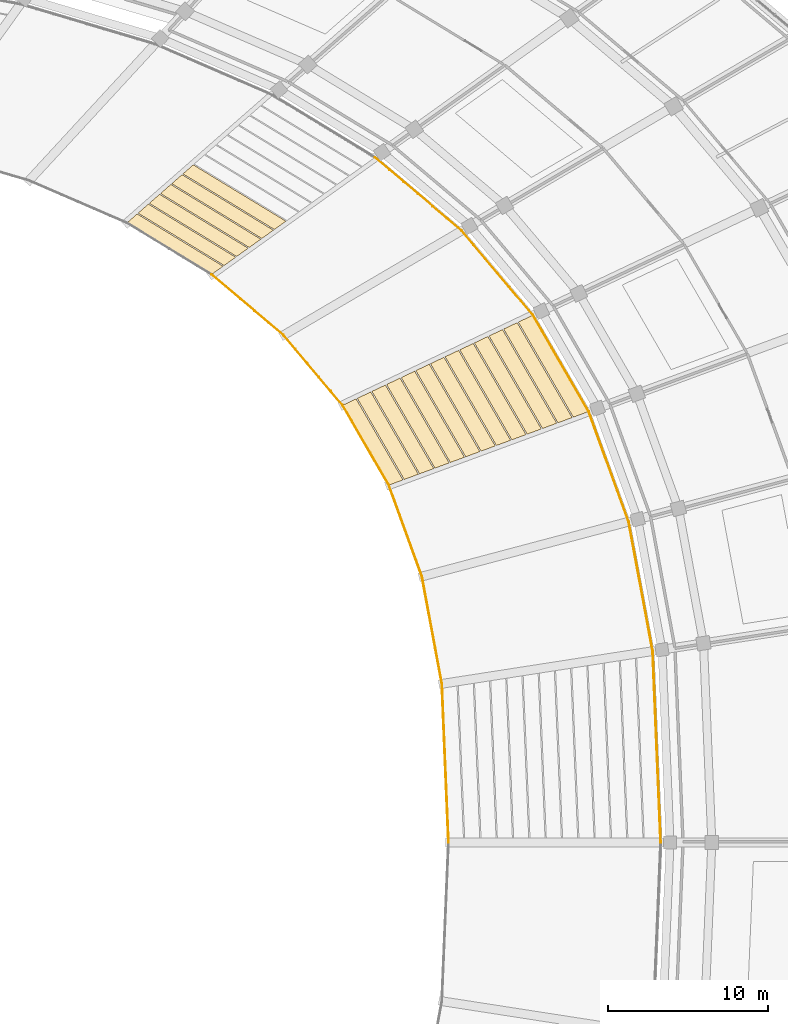
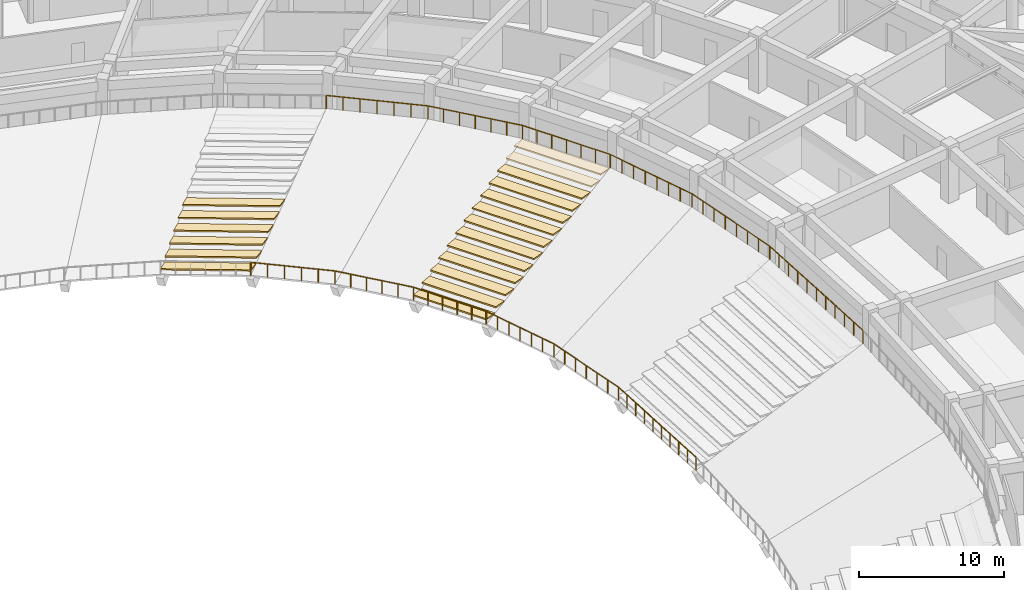
# One storey, part 138 of 152: 19 coverings, 2 railings.
"""IFC4 building model written with IfcOpenShell, lengths in metres."""

from ifc_helpers import new_model, si_unit, direction, frame, origin, origin_2d, place, context, subcontext, project, spatial, polyline, circle, outline, extrude, material, layer, layer_set, type_object, element, save


model = new_model("IFC4")

# Units and contexts
model_context = context("Model", 3, precision=1e-05, world=origin(), true_north=direction((0.0, 1.0)))
body_context = subcontext(model_context, "Body", "Model", "MODEL_VIEW")
ifc_project = project(units=[si_unit("LENGTHUNIT", "METRE"), si_unit("AREAUNIT", "SQUARE_METRE"), si_unit("VOLUMEUNIT", "CUBIC_METRE"), si_unit("PLANEANGLEUNIT", "RADIAN"), si_unit("MASSUNIT", "GRAM", prefix="KILO")], contexts=[model_context])

# Site, building, storey
site_placement = place(None, origin())
site = spatial("IfcSite", under=ifc_project, at=site_placement, CompositionType="ELEMENT")
building_placement = place(site_placement, origin())
building = spatial("IfcBuilding", under=site, at=building_placement, Name="Mphavela Belvedere Stadium", CompositionType="ELEMENT")
storey_placement = place(building_placement, frame((0.0, 0.0, 5.39990234375)))
storey = spatial("IfcBuildingStorey", under=building, at=storey_placement, Name="L01", CompositionType="ELEMENT", Elevation=5.39990234375)

# Coverings
ifc_material_1 = material(Name="Precast seating row terrazzo finish", Category="concrete")
ifc_layer = layer(ifc_material_1, 0.1201171875)
ifc_layer_set = layer_set([ifc_layer], Name="Precast seating row terrazzo finish")
covering_type = type_object("IfcCoveringType", Name="COV-SEAT-ROW-L", PredefinedType="FLOORING", material=ifc_layer_set)
covering_1_placement = place(storey_placement, frame((0.0, 0.0, -3.75830078125)))
element("IfcCovering", 1, at=covering_1_placement, inside=storey, type_object=covering_type, Name="Lower stand seating row bench B04-R01", PredefinedType="FLOORING", context=body_context, shape_type="SweptSolid", body=[
    extrude(outline(polyline([(175.763427734375, 109.385498046875), (172.869140625, 114.391357421875), (173.712890625, 114.790771484375), (176.6494140625, 109.7119140625), (175.763427734375, 109.385498046875)])), origin(), (0.0, 0.0, 1.0), 0.119873046875),
])
covering_2_placement = place(storey_placement, frame((0.0, 0.0, -3.296875)))
element("IfcCovering", 2, at=covering_2_placement, inside=storey, type_object=covering_type, Name="Lower stand seating row bench B04-R02", PredefinedType="FLOORING", context=body_context, shape_type="SweptSolid", body=[
    extrude(outline(polyline([(176.726318359375, 109.740234375), (173.7861328125, 114.825439453125), (174.6298828125, 115.224853515625), (177.6123046875, 110.066650390625), (176.726318359375, 109.740234375)])), origin(), (0.0, 0.0, 1.0), 0.1201171875),
])
covering_3_placement = place(storey_placement, frame((0.0, 0.0, -2.835205078125)))
element("IfcCovering", 3, at=covering_3_placement, inside=storey, type_object=covering_type, Name="Lower stand seating row bench B04-R03", PredefinedType="FLOORING", context=body_context, shape_type="SweptSolid", body=[
    extrude(outline(polyline([(177.689453125, 110.09521484375), (174.703125, 115.259521484375), (175.546875, 115.658935546875), (178.5751953125, 110.42138671875), (177.689453125, 110.09521484375)])), origin(), (0.0, 0.0, 1.0), 0.119873046875),
])
covering_4_placement = place(storey_placement, frame((0.0, 0.0, -2.373779296875)))
element("IfcCovering", 4, at=covering_4_placement, inside=storey, type_object=covering_type, Name="Lower stand seating row bench B04-R04", PredefinedType="FLOORING", context=body_context, shape_type="SweptSolid", body=[
    extrude(outline(polyline([(178.65234375, 110.44970703125), (175.620361328125, 115.693603515625), (176.464111328125, 116.093017578125), (179.5380859375, 110.776123046875), (178.65234375, 110.44970703125)])), origin(), (0.0, 0.0, 1.0), 0.1201171875),
])
covering_5_placement = place(storey_placement, frame((0.0, 0.0, -1.912109375)))
element("IfcCovering", 5, at=covering_5_placement, inside=storey, type_object=covering_type, Name="Lower stand seating row bench B04-R05", PredefinedType="FLOORING", context=body_context, shape_type="SweptSolid", body=[
    extrude(outline(polyline([(179.615234375, 110.8046875), (176.537353515625, 116.127685546875), (177.381103515625, 116.527099609375), (180.501220703125, 111.131103515625), (179.615234375, 110.8046875)])), origin(), (0.0, 0.0, 1.0), 0.119873046875),
])
covering_6_placement = place(storey_placement, frame((0.0, 0.0, -1.45068359375)))
element("IfcCovering", 6, at=covering_6_placement, inside=storey, type_object=covering_type, Name="Lower stand seating row bench B04-R06", PredefinedType="FLOORING", context=body_context, shape_type="SweptSolid", body=[
    extrude(outline(polyline([(180.578125, 111.1591796875), (177.454345703125, 116.561767578125), (178.298095703125, 116.961181640625), (181.464111328125, 111.485595703125), (180.578125, 111.1591796875)])), origin(), (0.0, 0.0, 1.0), 0.119873046875),
])
covering_7_placement = place(storey_placement, frame((0.0, 0.0, -0.989013671875)))
element("IfcCovering", 7, at=covering_7_placement, inside=storey, type_object=covering_type, Name="Lower stand seating row bench B04-R07", PredefinedType="FLOORING", context=body_context, shape_type="SweptSolid", body=[
    extrude(outline(polyline([(181.541015625, 111.51416015625), (178.37158203125, 116.995849609375), (179.215087890625, 117.395263671875), (182.427001953125, 111.840576171875), (181.541015625, 111.51416015625)])), origin(), (0.0, 0.0, 1.0), 0.119873046875),
])
covering_8_placement = place(storey_placement, frame((0.0, 0.0, -0.527587890625)))
element("IfcCovering", 8, at=covering_8_placement, inside=storey, type_object=covering_type, Name="Lower stand seating row bench B04-R08", PredefinedType="FLOORING", context=body_context, shape_type="SweptSolid", body=[
    extrude(outline(polyline([(182.504150390625, 111.868896484375), (179.28857421875, 117.429931640625), (180.13232421875, 117.829345703125), (183.389892578125, 112.1953125), (182.504150390625, 111.868896484375)])), origin(), (0.0, 0.0, 1.0), 0.119873046875),
])
covering_9_placement = place(storey_placement, frame((0.0, 0.0, -0.066162109375)))
element("IfcCovering", 9, at=covering_9_placement, inside=storey, type_object=covering_type, Name="Lower stand seating row bench B04-R09", PredefinedType="FLOORING", context=body_context, shape_type="SweptSolid", body=[
    extrude(outline(polyline([(183.467041015625, 112.2236328125), (180.205810546875, 117.864013671875), (181.04931640625, 118.263427734375), (184.352783203125, 112.550048828125), (183.467041015625, 112.2236328125)])), origin(), (0.0, 0.0, 1.0), 0.1201171875),
])
covering_10_placement = place(storey_placement, frame((0.0, 0.0, 0.3955078125)))
element("IfcCovering", 10, at=covering_10_placement, inside=storey, type_object=covering_type, Name="Lower stand seating row bench B04-R10", PredefinedType="FLOORING", context=body_context, shape_type="SweptSolid", body=[
    extrude(outline(polyline([(184.429931640625, 112.578369140625), (181.122802734375, 118.298095703125), (181.96630859375, 118.697509765625), (185.31591796875, 112.90478515625), (184.429931640625, 112.578369140625)])), origin(), (0.0, 0.0, 1.0), 0.119873046875),
])
covering_11_placement = place(storey_placement, frame((0.0, 0.0, 0.85693359375)))
element("IfcCovering", 11, at=covering_11_placement, inside=storey, type_object=covering_type, Name="Lower stand seating row bench B04-R11", PredefinedType="FLOORING", context=body_context, shape_type="SweptSolid", body=[
    extrude(outline(polyline([(185.392822265625, 112.93310546875), (182.039794921875, 118.732177734375), (182.883544921875, 119.131591796875), (186.27880859375, 113.259521484375), (185.392822265625, 112.93310546875)])), origin(), (0.0, 0.0, 1.0), 0.1201171875),
])
covering_12_placement = place(storey_placement, frame((0.0, 0.0, 1.318603515625)))
element("IfcCovering", 12, at=covering_12_placement, inside=storey, type_object=covering_type, Name="Lower stand seating row bench B04-R12", PredefinedType="FLOORING", context=body_context, shape_type="SweptSolid", body=[
    extrude(outline(polyline([(186.355712890625, 113.287841796875), (182.956787109375, 119.166259765625), (183.800537109375, 119.565673828125), (187.24169921875, 113.6142578125), (186.355712890625, 113.287841796875)])), origin(), (0.0, 0.0, 1.0), 0.119873046875),
])
covering_13_placement = place(storey_placement, frame((0.0, 0.0, 1.780029296875)))
element("IfcCovering", 13, at=covering_13_placement, inside=storey, type_object=covering_type, Name="Lower stand seating row bench B04-R13", PredefinedType="FLOORING", context=body_context, shape_type="SweptSolid", body=[
    extrude(outline(polyline([(187.318603515625, 113.642578125), (183.873779296875, 119.600341796875), (184.717529296875, 119.999755859375), (188.20458984375, 113.968994140625), (187.318603515625, 113.642578125)])), origin(), (0.0, 0.0, 1.0), 0.1201171875),
])
covering_14_placement = place(storey_placement, frame((0.0, 0.0, -3.75830078125)))
element("IfcCovering", 14, at=covering_14_placement, inside=storey, type_object=covering_type, Name="Lower stand seating row bench B07-R01", PredefinedType="FLOORING", context=body_context, shape_type="SweptSolid", body=[
    extrude(outline(polyline([(164.658935546875, 122.580322265625), (159.351806640625, 125.80908203125), (159.99853515625, 126.374755859375), (165.3828125, 123.09912109375), (164.658935546875, 122.580322265625)])), origin(), (0.0, 0.0, 1.0), 0.119873046875),
])
covering_15_placement = place(storey_placement, frame((0.0, 0.0, -3.296875)))
element("IfcCovering", 15, at=covering_15_placement, inside=storey, type_object=covering_type, Name="Lower stand seating row bench B07-R02", PredefinedType="FLOORING", context=body_context, shape_type="SweptSolid", body=[
    extrude(outline(polyline([(165.44580078125, 123.144287109375), (160.0546875, 126.424072265625), (160.701416015625, 126.98974609375), (166.169921875, 123.662841796875), (165.44580078125, 123.144287109375)])), origin(), (0.0, 0.0, 1.0), 0.1201171875),
])
covering_16_placement = place(storey_placement, frame((0.0, 0.0, -2.835205078125)))
element("IfcCovering", 16, at=covering_16_placement, inside=storey, type_object=covering_type, Name="Lower stand seating row bench B07-R03", PredefinedType="FLOORING", context=body_context, shape_type="SweptSolid", body=[
    extrude(outline(polyline([(166.23291015625, 123.7080078125), (160.757568359375, 127.0390625), (161.404296875, 127.604736328125), (166.956787109375, 124.226806640625), (166.23291015625, 123.7080078125)])), origin(), (0.0, 0.0, 1.0), 0.119873046875),
])
covering_17_placement = place(storey_placement, frame((0.0, 0.0, -2.373779296875)))
element("IfcCovering", 17, at=covering_17_placement, inside=storey, type_object=covering_type, Name="Lower stand seating row bench B07-R04", PredefinedType="FLOORING", context=body_context, shape_type="SweptSolid", body=[
    extrude(outline(polyline([(167.019775390625, 124.27197265625), (161.46044921875, 127.654052734375), (162.107177734375, 128.219970703125), (167.743896484375, 124.790771484375), (167.019775390625, 124.27197265625)])), origin(), (0.0, 0.0, 1.0), 0.1201171875),
])
covering_18_placement = place(storey_placement, frame((0.0, 0.0, -1.912109375)))
element("IfcCovering", 18, at=covering_18_placement, inside=storey, type_object=covering_type, Name="Lower stand seating row bench B07-R05", PredefinedType="FLOORING", context=body_context, shape_type="SweptSolid", body=[
    extrude(outline(polyline([(167.806640625, 124.835693359375), (162.163330078125, 128.26904296875), (162.809814453125, 128.8349609375), (168.53076171875, 125.3544921875), (167.806640625, 124.835693359375)])), origin(), (0.0, 0.0, 1.0), 0.119873046875),
])
covering_19_placement = place(storey_placement, frame((0.0, 0.0, -1.45068359375)))
element("IfcCovering", 19, at=covering_19_placement, inside=storey, type_object=covering_type, Name="Lower stand seating row bench B07-R06", PredefinedType="FLOORING", context=body_context, shape_type="SweptSolid", body=[
    extrude(outline(polyline([(168.59375, 125.399658203125), (162.8662109375, 128.884033203125), (163.5126953125, 129.449951171875), (169.317626953125, 125.91845703125), (168.59375, 125.399658203125)])), origin(), (0.0, 0.0, 1.0), 0.119873046875),
])

# Railings
ifc_material_2 = material(Name="Bronze and laminated glass stadium balustrade", Category="glass")
railing_type = type_object("IfcRailingType", Name="RAL-BALUSTRADE-1120", PredefinedType="BALUSTRADE", material=ifc_material_2)
railing_1_placement = place(storey_placement, frame((179.5048828125, 87.0, -4.099853515625)))
element("IfcRailing", 20, at=railing_1_placement, inside=storey, type_object=railing_type, Name="Bowl safety balustrade t1_front S1", PredefinedType="BALUSTRADE", context=body_context, shape_type="SweptSolid", body=[
    extrude(circle(Radius=0.02392578125, at=origin_2d()), frame((0.0, 0.0, 1.09619140625), z_axis=(-0.041887754326, 0.99912232286, 0.0), x_axis=(-0.99912232286, -0.041887754326, 0.0)), (0.0, 0.0, 1.0), 9.94921875),
    extrude(circle(Radius=0.02392578125, at=origin_2d()), frame((-0.416748046875, 9.9404296875, 1.09619140625), z_axis=(-0.182635082941, 0.983180769991, 0.0), x_axis=(-0.983180769991, -0.182635082941, 0.0)), (0.0, 0.0, 1.0), 6.8388671875),
    extrude(circle(Radius=0.02392578125, at=origin_2d()), frame((-1.665771484375, 16.664306640625, 1.09619140625), z_axis=(-0.341053704054, 0.940043813315, 0.0), x_axis=(-0.940043813315, -0.341053704054, 0.0)), (0.0, 0.0, 1.0), 6.086181640625),
    extrude(circle(Radius=0.02392578125, at=origin_2d()), frame((-3.741455078125, 22.385498046875, 1.09619140625), z_axis=(-0.500538549493, 0.86571424874, 0.0), x_axis=(-0.86571424874, -0.500538549493, 0.0)), (0.0, 0.0, 1.0), 5.7822265625),
    extrude(circle(Radius=0.02392578125, at=origin_2d()), frame((-6.6357421875, 27.391357421875, 1.09619140625), z_axis=(-0.645177508065, 0.764032710744, 0.0), x_axis=(-0.764032710744, -0.645177508065, 0.0)), (0.0, 0.0, 1.0), 5.7412109375),
    extrude(circle(Radius=0.02392578125, at=origin_2d()), frame((-10.33984375, 31.77783203125, 1.09619140625), z_axis=(-0.764252578724, 0.644917045762, 0.0), x_axis=(-0.644917045762, -0.764252578724, 0.0)), (0.0, 0.0, 1.0), 5.89599609375),
    extrude(circle(Radius=0.02099609375, at=origin_2d()), origin(), (0.0, 0.0, 1.0), 1.072021484375),
    extrude(circle(Radius=0.02099609375, at=origin_2d()), frame((-0.04638671875, 1.1044921875, 0.0)), (0.0, 0.0, 1.0), 1.072021484375),
    extrude(circle(Radius=0.02099609375, at=origin_2d()), frame((-0.092529296875, 2.208984375, 0.0)), (0.0, 0.0, 1.0), 1.072021484375),
    extrude(circle(Radius=0.02099609375, at=origin_2d()), frame((-0.138916015625, 3.3134765625, 0.0)), (0.0, 0.0, 1.0), 1.072021484375),
    extrude(circle(Radius=0.02099609375, at=origin_2d()), frame((-0.185302734375, 4.41796875, 0.0)), (0.0, 0.0, 1.0), 1.072021484375),
    extrude(circle(Radius=0.02099609375, at=origin_2d()), frame((-0.2314453125, 5.5224609375, 0.0)), (0.0, 0.0, 1.0), 1.072021484375),
    extrude(circle(Radius=0.02099609375, at=origin_2d()), frame((-0.27783203125, 6.626953125, 0.0)), (0.0, 0.0, 1.0), 1.072021484375),
    extrude(circle(Radius=0.02099609375, at=origin_2d()), frame((-0.32421875, 7.7314453125, 0.0)), (0.0, 0.0, 1.0), 1.072021484375),
    extrude(circle(Radius=0.02099609375, at=origin_2d()), frame((-0.370361328125, 8.8359375, 0.0)), (0.0, 0.0, 1.0), 1.072021484375),
    extrude(circle(Radius=0.02099609375, at=origin_2d()), frame((-0.416748046875, 9.9404296875, 0.0)), (0.0, 0.0, 1.0), 1.072021484375),
    extrude(circle(Radius=0.02099609375, at=origin_2d()), frame((-0.625, 11.06103515625, 0.0)), (0.0, 0.0, 1.0), 1.072021484375),
    extrude(circle(Radius=0.02099609375, at=origin_2d()), frame((-0.8330078125, 12.181640625, 0.0)), (0.0, 0.0, 1.0), 1.072021484375),
    extrude(circle(Radius=0.02099609375, at=origin_2d()), frame((-1.041259765625, 13.30224609375, 0.0)), (0.0, 0.0, 1.0), 1.072021484375),
    extrude(circle(Radius=0.02099609375, at=origin_2d()), frame((-1.24951171875, 14.423095703125, 0.0)), (0.0, 0.0, 1.0), 1.072021484375),
    extrude(circle(Radius=0.02099609375, at=origin_2d()), frame((-1.45751953125, 15.543701171875, 0.0)), (0.0, 0.0, 1.0), 1.072021484375),
    extrude(circle(Radius=0.02099609375, at=origin_2d()), frame((-1.665771484375, 16.664306640625, 0.0)), (0.0, 0.0, 1.0), 1.072021484375),
    extrude(circle(Radius=0.02099609375, at=origin_2d()), frame((-2.01171875, 17.617919921875, 0.0)), (0.0, 0.0, 1.0), 1.072021484375),
    extrude(circle(Radius=0.02099609375, at=origin_2d()), frame((-2.357666015625, 18.5712890625, 0.0)), (0.0, 0.0, 1.0), 1.072021484375),
    extrude(circle(Radius=0.02099609375, at=origin_2d()), frame((-2.70361328125, 19.52490234375, 0.0)), (0.0, 0.0, 1.0), 1.072021484375),
    extrude(circle(Radius=0.02099609375, at=origin_2d()), frame((-3.049560546875, 20.478515625, 0.0)), (0.0, 0.0, 1.0), 1.072021484375),
    extrude(circle(Radius=0.02099609375, at=origin_2d()), frame((-3.3955078125, 21.431884765625, 0.0)), (0.0, 0.0, 1.0), 1.072021484375),
    extrude(circle(Radius=0.02099609375, at=origin_2d()), frame((-3.741455078125, 22.385498046875, 0.0)), (0.0, 0.0, 1.0), 1.072021484375),
    extrude(circle(Radius=0.02099609375, at=origin_2d()), frame((-4.3203125, 23.38671875, 0.0)), (0.0, 0.0, 1.0), 1.072021484375),
    extrude(circle(Radius=0.02099609375, at=origin_2d()), frame((-4.899169921875, 24.387939453125, 0.0)), (0.0, 0.0, 1.0), 1.072021484375),
    extrude(circle(Radius=0.02099609375, at=origin_2d()), frame((-5.47802734375, 25.388916015625, 0.0)), (0.0, 0.0, 1.0), 1.072021484375),
    extrude(circle(Radius=0.02099609375, at=origin_2d()), frame((-6.056884765625, 26.39013671875, 0.0)), (0.0, 0.0, 1.0), 1.072021484375),
    extrude(circle(Radius=0.02099609375, at=origin_2d()), frame((-6.6357421875, 27.391357421875, 0.0)), (0.0, 0.0, 1.0), 1.072021484375),
    extrude(circle(Radius=0.02099609375, at=origin_2d()), frame((-7.37646484375, 28.2685546875, 0.0)), (0.0, 0.0, 1.0), 1.072021484375),
    extrude(circle(Radius=0.02099609375, at=origin_2d()), frame((-8.117431640625, 29.14599609375, 0.0)), (0.0, 0.0, 1.0), 1.072021484375),
    extrude(circle(Radius=0.02099609375, at=origin_2d()), frame((-8.858154296875, 30.023193359375, 0.0)), (0.0, 0.0, 1.0), 1.072021484375),
    extrude(circle(Radius=0.02099609375, at=origin_2d()), frame((-9.59912109375, 30.900634765625, 0.0)), (0.0, 0.0, 1.0), 1.072021484375),
    extrude(circle(Radius=0.02099609375, at=origin_2d()), frame((-10.33984375, 31.77783203125, 0.0)), (0.0, 0.0, 1.0), 1.072021484375),
    extrude(circle(Radius=0.02099609375, at=origin_2d()), frame((-11.240966796875, 32.538330078125, 0.0)), (0.0, 0.0, 1.0), 1.072021484375),
    extrude(circle(Radius=0.02099609375, at=origin_2d()), frame((-12.142333984375, 33.298828125, 0.0)), (0.0, 0.0, 1.0), 1.072021484375),
    extrude(circle(Radius=0.02099609375, at=origin_2d()), frame((-13.04345703125, 34.059326171875, 0.0)), (0.0, 0.0, 1.0), 1.072021484375),
    extrude(circle(Radius=0.02099609375, at=origin_2d()), frame((-13.94482421875, 34.81982421875, 0.0)), (0.0, 0.0, 1.0), 1.072021484375),
    extrude(circle(Radius=0.02099609375, at=origin_2d()), frame((-14.845947265625, 35.580322265625, 0.0)), (0.0, 0.0, 1.0), 1.072021484375),
])
railing_2_placement = place(storey_placement, frame((192.7939453125, 87.0, 1.900146484375)))
element("IfcRailing", 21, at=railing_2_placement, inside=storey, type_object=railing_type, Name="Bowl safety balustrade t1_rear S1", PredefinedType="BALUSTRADE", context=body_context, shape_type="SweptSolid", body=[
    extrude(circle(Radius=0.02392578125, at=origin_2d()), frame((0.0, 0.0, 1.09619140625), z_axis=(-0.041894596613, 0.999122035977, 0.0), x_axis=(-0.999122035977, -0.041894596613, 0.0)), (0.0, 0.0, 1.0), 11.998779296875),
    extrude(circle(Radius=0.02392578125, at=origin_2d()), frame((-0.502685546875, 11.98828125, 1.09619140625), z_axis=(-0.182635114109, 0.983180764201, 0.0), x_axis=(-0.983180764201, -0.182635114109, 0.0)), (0.0, 0.0, 1.0), 8.247802734375),
    extrude(circle(Radius=0.02392578125, at=origin_2d()), frame((-2.009033203125, 20.097412109375, 1.09619140625), z_axis=(-0.341035238326, 0.940050512589, 0.0), x_axis=(-0.940050512589, -0.341035238326, 0.0)), (0.0, 0.0, 1.0), 7.33984375),
    extrude(circle(Radius=0.02392578125, at=origin_2d()), frame((-4.51220703125, 26.997314453125, 1.09619140625), z_axis=(-0.500558706361, 0.865702594132, 0.0), x_axis=(-0.865702594132, -0.500558706361, 0.0)), (0.0, 0.0, 1.0), 6.9736328125),
    extrude(circle(Radius=0.02392578125, at=origin_2d()), frame((-8.0029296875, 33.034423828125, 1.09619140625), z_axis=(-0.645154745887, 0.764051931389, 0.0), x_axis=(-0.764051931389, -0.645154745887, 0.0)), (0.0, 0.0, 1.0), 6.924072265625),
    extrude(circle(Radius=0.02392578125, at=origin_2d()), frame((-12.469970703125, 38.32470703125, 1.09619140625), z_axis=(-0.764272445786, 0.644893501761, 0.0), x_axis=(-0.644893501761, -0.764272445786, 0.0)), (0.0, 0.0, 1.0), 7.11083984375),
    extrude(circle(Radius=0.02099609375, at=origin_2d()), origin(), (0.0, 0.0, 1.0), 1.072021484375),
    extrude(circle(Radius=0.02099609375, at=origin_2d()), frame((-0.05029296875, 1.19873046875, 0.0)), (0.0, 0.0, 1.0), 1.072021484375),
    extrude(circle(Radius=0.02099609375, at=origin_2d()), frame((-0.1005859375, 2.397705078125, 0.0)), (0.0, 0.0, 1.0), 1.072021484375),
    extrude(circle(Radius=0.02099609375, at=origin_2d()), frame((-0.15087890625, 3.596435546875, 0.0)), (0.0, 0.0, 1.0), 1.072021484375),
    extrude(circle(Radius=0.02099609375, at=origin_2d()), frame((-0.201171875, 4.79541015625, 0.0)), (0.0, 0.0, 1.0), 1.072021484375),
    extrude(circle(Radius=0.02099609375, at=origin_2d()), frame((-0.25146484375, 5.994140625, 0.0)), (0.0, 0.0, 1.0), 1.072021484375),
    extrude(circle(Radius=0.02099609375, at=origin_2d()), frame((-0.301513671875, 7.19287109375, 0.0)), (0.0, 0.0, 1.0), 1.072021484375),
    extrude(circle(Radius=0.02099609375, at=origin_2d()), frame((-0.351806640625, 8.391845703125, 0.0)), (0.0, 0.0, 1.0), 1.072021484375),
    extrude(circle(Radius=0.02099609375, at=origin_2d()), frame((-0.402099609375, 9.590576171875, 0.0)), (0.0, 0.0, 1.0), 1.072021484375),
    extrude(circle(Radius=0.02099609375, at=origin_2d()), frame((-0.452392578125, 10.78955078125, 0.0)), (0.0, 0.0, 1.0), 1.072021484375),
    extrude(circle(Radius=0.02099609375, at=origin_2d()), frame((-0.502685546875, 11.98828125, 0.0)), (0.0, 0.0, 1.0), 1.072021484375),
    extrude(circle(Radius=0.02099609375, at=origin_2d()), frame((-0.7177734375, 13.146728515625, 0.0)), (0.0, 0.0, 1.0), 1.072021484375),
    extrude(circle(Radius=0.02099609375, at=origin_2d()), frame((-0.93310546875, 14.30517578125, 0.0)), (0.0, 0.0, 1.0), 1.072021484375),
    extrude(circle(Radius=0.02099609375, at=origin_2d()), frame((-1.148193359375, 15.463623046875, 0.0)), (0.0, 0.0, 1.0), 1.072021484375),
    extrude(circle(Radius=0.02099609375, at=origin_2d()), frame((-1.363525390625, 16.6220703125, 0.0)), (0.0, 0.0, 1.0), 1.072021484375),
    extrude(circle(Radius=0.02099609375, at=origin_2d()), frame((-1.57861328125, 17.780517578125, 0.0)), (0.0, 0.0, 1.0), 1.072021484375),
    extrude(circle(Radius=0.02099609375, at=origin_2d()), frame((-1.7939453125, 18.93896484375, 0.0)), (0.0, 0.0, 1.0), 1.072021484375),
    extrude(circle(Radius=0.02099609375, at=origin_2d()), frame((-2.009033203125, 20.097412109375, 0.0)), (0.0, 0.0, 1.0), 1.072021484375),
    extrude(circle(Radius=0.02099609375, at=origin_2d()), frame((-2.36669921875, 21.0830078125, 0.0)), (0.0, 0.0, 1.0), 1.072021484375),
    extrude(circle(Radius=0.02099609375, at=origin_2d()), frame((-2.72412109375, 22.06884765625, 0.0)), (0.0, 0.0, 1.0), 1.072021484375),
    extrude(circle(Radius=0.02099609375, at=origin_2d()), frame((-3.081787109375, 23.054443359375, 0.0)), (0.0, 0.0, 1.0), 1.072021484375),
    extrude(circle(Radius=0.02099609375, at=origin_2d()), frame((-3.439453125, 24.040283203125, 0.0)), (0.0, 0.0, 1.0), 1.072021484375),
    extrude(circle(Radius=0.02099609375, at=origin_2d()), frame((-3.797119140625, 25.02587890625, 0.0)), (0.0, 0.0, 1.0), 1.072021484375),
    extrude(circle(Radius=0.02099609375, at=origin_2d()), frame((-4.154541015625, 26.01171875, 0.0)), (0.0, 0.0, 1.0), 1.072021484375),
    extrude(circle(Radius=0.02099609375, at=origin_2d()), frame((-4.51220703125, 26.997314453125, 0.0)), (0.0, 0.0, 1.0), 1.072021484375),
    extrude(circle(Radius=0.02099609375, at=origin_2d()), frame((-5.093994140625, 28.00341796875, 0.0)), (0.0, 0.0, 1.0), 1.072021484375),
    extrude(circle(Radius=0.02099609375, at=origin_2d()), frame((-5.67578125, 29.009765625, 0.0)), (0.0, 0.0, 1.0), 1.072021484375),
    extrude(circle(Radius=0.02099609375, at=origin_2d()), frame((-6.257568359375, 30.015869140625, 0.0)), (0.0, 0.0, 1.0), 1.072021484375),
    extrude(circle(Radius=0.02099609375, at=origin_2d()), frame((-6.83935546875, 31.02197265625, 0.0)), (0.0, 0.0, 1.0), 1.072021484375),
    extrude(circle(Radius=0.02099609375, at=origin_2d()), frame((-7.421142578125, 32.0283203125, 0.0)), (0.0, 0.0, 1.0), 1.072021484375),
    extrude(circle(Radius=0.02099609375, at=origin_2d()), frame((-8.0029296875, 33.034423828125, 0.0)), (0.0, 0.0, 1.0), 1.072021484375),
    extrude(circle(Radius=0.02099609375, at=origin_2d()), frame((-8.74755859375, 33.916015625, 0.0)), (0.0, 0.0, 1.0), 1.072021484375),
    extrude(circle(Radius=0.02099609375, at=origin_2d()), frame((-9.491943359375, 34.7978515625, 0.0)), (0.0, 0.0, 1.0), 1.072021484375),
    extrude(circle(Radius=0.02099609375, at=origin_2d()), frame((-10.236328125, 35.6796875, 0.0)), (0.0, 0.0, 1.0), 1.072021484375),
    extrude(circle(Radius=0.02099609375, at=origin_2d()), frame((-10.98095703125, 36.561279296875, 0.0)), (0.0, 0.0, 1.0), 1.072021484375),
    extrude(circle(Radius=0.02099609375, at=origin_2d()), frame((-11.7255859375, 37.44287109375, 0.0)), (0.0, 0.0, 1.0), 1.072021484375),
    extrude(circle(Radius=0.02099609375, at=origin_2d()), frame((-12.469970703125, 38.32470703125, 0.0)), (0.0, 0.0, 1.0), 1.072021484375),
    extrude(circle(Radius=0.02099609375, at=origin_2d()), frame((-13.375732421875, 39.0888671875, 0.0)), (0.0, 0.0, 1.0), 1.072021484375),
    extrude(circle(Radius=0.02099609375, at=origin_2d()), frame((-14.281494140625, 39.853271484375, 0.0)), (0.0, 0.0, 1.0), 1.072021484375),
    extrude(circle(Radius=0.02099609375, at=origin_2d()), frame((-15.187255859375, 40.61767578125, 0.0)), (0.0, 0.0, 1.0), 1.072021484375),
    extrude(circle(Radius=0.02099609375, at=origin_2d()), frame((-16.093017578125, 41.3818359375, 0.0)), (0.0, 0.0, 1.0), 1.072021484375),
    extrude(circle(Radius=0.02099609375, at=origin_2d()), frame((-16.998779296875, 42.14599609375, 0.0)), (0.0, 0.0, 1.0), 1.072021484375),
    extrude(circle(Radius=0.02099609375, at=origin_2d()), frame((-17.904541015625, 42.910400390625, 0.0)), (0.0, 0.0, 1.0), 1.072021484375),
])

save(model, "model.ifc")
